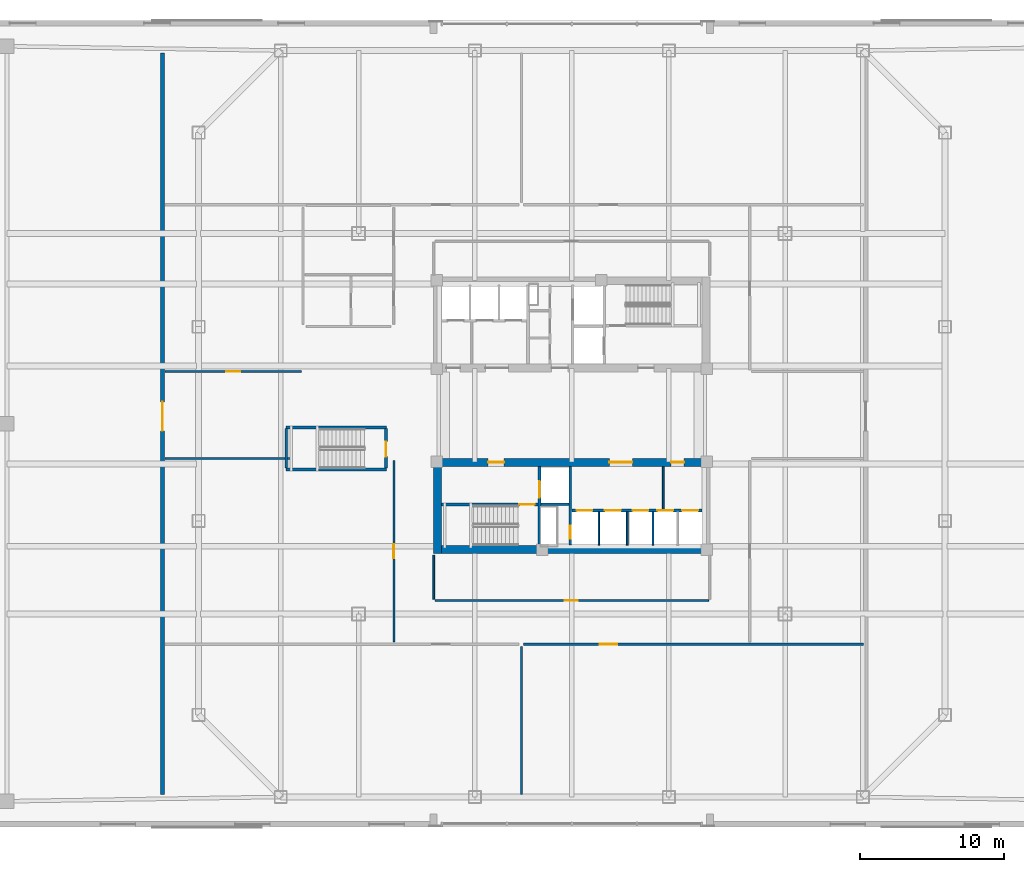
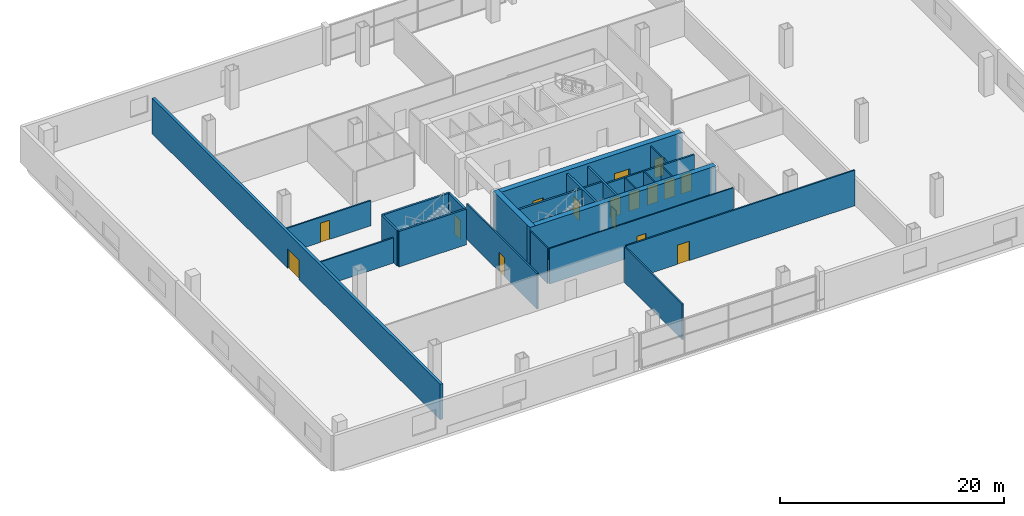
# One storey, part 12 of 21: 24 walls, 17 doors, 17 openings.
"""IFC4 building model written with IfcOpenShell, lengths in metres."""

from ifc_helpers import new_model, si_unit, direction, frame, frame_2d, origin, place, context, subcontext, project, spatial, rectangle, extrude, material, layer, layer_set, type_object, element, fill, save


model = new_model("IFC4")

# Units and contexts
model_context = context("Model", 3, precision=1e-05, world=origin(), true_north=direction((0.0, 1.0)))
body_context = subcontext(model_context, "Body", "Model", "MODEL_VIEW")
ifc_project = project(units=[si_unit("LENGTHUNIT", "METRE"), si_unit("AREAUNIT", "SQUARE_METRE"), si_unit("VOLUMEUNIT", "CUBIC_METRE"), si_unit("PLANEANGLEUNIT", "RADIAN"), si_unit("MASSUNIT", "GRAM", prefix="KILO")], contexts=[model_context])

# Site, building, storey
site_placement = place(None, origin())
site = spatial("IfcSite", under=ifc_project, at=site_placement, CompositionType="ELEMENT")
building_placement = place(site_placement, origin())
building = spatial("IfcBuilding", under=site, at=building_placement, Name="Qhalaya Broadcast Tower", CompositionType="ELEMENT")
storey_placement = place(building_placement, frame((0.0, 0.0, 5.10009765625)))
storey = spatial("IfcBuildingStorey", under=building, at=storey_placement, Name="L01", CompositionType="ELEMENT", Elevation=5.10009765625)

# Wall, opening, door
ifc_material_1 = material(Name="Gypsum Acoustic Partition")
ifc_layer_1 = layer(ifc_material_1, 0.14990234375, Name="Gypsum Acoustic Partition")
ifc_layer_set_1 = layer_set([ifc_layer_1], Name="Gypsum Acoustic Partition")
wall_type_1 = type_object("IfcWallType", Name="Corridor & Tenancy Acoustic Partition 150", PredefinedType="PARTITIONING", material=ifc_layer_set_1)
wall_1_placement = place(storey_placement, frame((-3.340087890625, -15.300048828125, 0.0), z_axis=(0.0, 0.0, 1.0), x_axis=(1.0, 0.0, 0.0)))
wall_1 = element("IfcWall", 1, at=wall_1_placement, inside=storey, type_object=wall_type_1, Name="L01 Partition Wall W-STS1R", PredefinedType="PARTITIONING", context=body_context, shape_type="SweptSolid", body=[
    extrude(rectangle(XDim=23.580078125, YDim=0.14990234375, at=frame_2d((11.7900390625, 0.0))), origin(), (0.0, 0.0, 1.0), 3.8798828125),
])
opening_1_placement = place(wall_1_placement, frame((5.294921875, 0.0, 0.0)))
opening_1 = element("IfcOpeningElement", 2, at=opening_1_placement, cuts=wall_1, Name="Opening D11", PredefinedType="OPENING", context=body_context, shape_type="SweptSolid", body=[
    extrude(rectangle(XDim=1.199951171875, YDim=2.10009765625, at=frame_2d((0.60009765625, 1.050048828125))), frame((0.0, 0.0869140625, 0.0), z_axis=(0.0, -1.0, 0.0), x_axis=(1.0, 0.0, 0.0)), (0.0, 0.0, 1.0), 0.173828125),
])
ifc_material_2 = material(Name="Anodised Aluminium Glazed Door", Category="aluminium")
door_type_1 = type_object("IfcDoorType", Name="Conference, Boardroom & Studio Control Door D11", OperationType="NOTDEFINED", PredefinedType="DOOR", material=ifc_material_2)
door_1_placement = place(opening_1_placement, origin())
door_1 = element("IfcDoor", 3, at=door_1_placement, inside=storey, type_object=door_type_1, Name="L01 Door D-STS2", OperationType="SINGLE_SWING_LEFT", OverallHeight=2.10009765625, OverallWidth=1.199951171875, PredefinedType="DOOR", context=body_context, shape_type="SweptSolid", body=[
    extrude(rectangle(XDim=1.199951171875, YDim=2.10009765625, at=frame_2d((0.60009765625, 1.050048828125))), frame((0.0, 0.02490234375, 0.0), z_axis=(0.0, -1.0, 0.0), x_axis=(1.0, 0.0, 0.0)), (0.0, 0.0, 1.0), 0.050048828125),
])
fill(opening_1, door_1)

# Wall
wall_2_placement = place(storey_placement, frame((-3.5, -25.739990234375, 0.0), z_axis=(0.0, 0.0, 1.0), x_axis=(0.0, 1.0, 0.0)))
element("IfcWall", 4, at=wall_2_placement, inside=storey, type_object=wall_type_1, Name="L01 Partition Wall W-STMS", PredefinedType="PARTITIONING", context=body_context, shape_type="SweptSolid", body=[
    extrude(rectangle(XDim=10.280029296875, YDim=0.14990234375, at=frame_2d((5.14013671875, 0.0))), origin(), (0.0, 0.0, 1.0), 3.8798828125),
])

# Wall, opening, door
wall_3_placement = place(storey_placement, frame((-12.35009765625, -15.139892578125, 0.0), z_axis=(0.0, 0.0, 1.0), x_axis=(0.0, 1.0, 0.0)))
wall_3 = element("IfcWall", 5, at=wall_3_placement, inside=storey, type_object=wall_type_1, Name="L01 Partition Wall W-STPW", PredefinedType="PARTITIONING", context=body_context, shape_type="SweptSolid", body=[
    extrude(rectangle(XDim=12.579833984375, YDim=0.14990234375, at=frame_2d((6.2900390625, 0.0))), origin(), (0.0, 0.0, 1.0), 3.8798828125),
])
opening_2_placement = place(wall_3_placement, frame((5.81494140625, 0.0, 0.0)))
opening_2 = element("IfcOpeningElement", 6, at=opening_2_placement, cuts=wall_3, Name="Opening D10", PredefinedType="OPENING", context=body_context, shape_type="SweptSolid", body=[
    extrude(rectangle(XDim=0.949951171875, YDim=2.10009765625, at=frame_2d((0.47509765625, 1.050048828125))), frame((0.0, 0.0869140625, 0.0), z_axis=(0.0, -1.0, 0.0), x_axis=(1.0, 0.0, 0.0)), (0.0, 0.0, 1.0), 0.173828125),
])
ifc_material_3 = material(Name="Timber Veneer Acoustic Door", Category="wood")
door_type_2 = type_object("IfcDoorType", Name="Cellular Office & Edit Booth Door D10", OperationType="NOTDEFINED", PredefinedType="DOOR", material=ifc_material_3)
door_2_placement = place(opening_2_placement, origin())
door_2 = element("IfcDoor", 7, at=door_2_placement, inside=storey, type_object=door_type_2, Name="L01 Door D-STPW", OperationType="SINGLE_SWING_LEFT", OverallHeight=2.10009765625, OverallWidth=0.949951171875, PredefinedType="DOOR", context=body_context, shape_type="SweptSolid", body=[
    extrude(rectangle(XDim=0.949951171875, YDim=2.10009765625, at=frame_2d((0.47509765625, 1.050048828125))), frame((0.0, 0.02490234375, 0.0), z_axis=(0.0, -1.0, 0.0), x_axis=(1.0, 0.0, 0.0)), (0.0, 0.0, 1.0), 0.050048828125),
])
fill(opening_2, door_2)

# Wall
wall_4_placement = place(storey_placement, frame((-28.239990234375, -2.419921875, 0.0), z_axis=(0.0, 0.0, 1.0), x_axis=(1.0, 0.0, 0.0)))
element("IfcWall", 8, at=wall_4_placement, inside=storey, type_object=wall_type_1, Name="L01 Partition Wall W-STPW2", PredefinedType="PARTITIONING", context=body_context, shape_type="SweptSolid", body=[
    extrude(rectangle(XDim=8.72998046875, YDim=0.14990234375, at=frame_2d((4.364990234375, 0.0))), origin(), (0.0, 0.0, 1.0), 2.741943359375),
])

# Wall, opening, door
wall_5_placement = place(storey_placement, frame((-28.239990234375, 3.6201171875, 0.0), z_axis=(0.0, 0.0, 1.0), x_axis=(1.0, 0.0, 0.0)))
wall_5 = element("IfcWall", 9, at=wall_5_placement, inside=storey, type_object=wall_type_1, Name="L01 Partition Wall W-STPW3", PredefinedType="PARTITIONING", context=body_context, shape_type="SweptSolid", body=[
    extrude(rectangle(XDim=9.47998046875, YDim=0.14990234375, at=frame_2d((4.739990234375, 0.0))), origin(), (0.0, 0.0, 1.0), 2.741943359375),
])
opening_3_placement = place(wall_5_placement, frame((4.264892578125, 0.0, 0.0)))
opening_3 = element("IfcOpeningElement", 10, at=opening_3_placement, cuts=wall_5, Name="Opening D10", PredefinedType="OPENING", context=body_context, shape_type="SweptSolid", body=[
    extrude(rectangle(XDim=0.949951171875, YDim=2.10009765625, at=frame_2d((0.47509765625, 1.050048828125))), frame((0.0, 0.0869140625, 0.0), z_axis=(0.0, -1.0, 0.0), x_axis=(1.0, 0.0, 0.0)), (0.0, 0.0, 1.0), 0.173828125),
])
door_3_placement = place(opening_3_placement, origin())
door_3 = element("IfcDoor", 11, at=door_3_placement, inside=storey, type_object=door_type_2, Name="L01 Door D-STPW3", OperationType="SINGLE_SWING_RIGHT", OverallHeight=2.10009765625, OverallWidth=0.949951171875, PredefinedType="DOOR", context=body_context, shape_type="SweptSolid", body=[
    extrude(rectangle(XDim=0.949951171875, YDim=2.10009765625, at=frame_2d((0.47509765625, 1.050048828125))), frame((0.0, 0.02490234375, 0.0), z_axis=(0.0, -1.0, 0.0), x_axis=(1.0, 0.0, 0.0)), (0.0, 0.0, 1.0), 0.050048828125),
])
fill(opening_3, door_3)

ifc_layer_2 = layer(ifc_material_1, 0.280029296875, Name="Gypsum Acoustic Partition")
ifc_layer_set_2 = layer_set([ifc_layer_2], Name="Gypsum Acoustic Partition")
wall_type_2 = type_object("IfcWallType", Name="Double-Leaf Soundstage Acoustic Wall 280", PredefinedType="MOVABLE", material=ifc_layer_set_2)
wall_6_placement = place(storey_placement, frame((-28.39990234375, -25.739990234375, 0.0), z_axis=(0.0, 0.0, 1.0), x_axis=(0.0, 1.0, 0.0)))
wall_6 = element("IfcWall", 12, at=wall_6_placement, inside=storey, type_object=wall_type_2, Name="L01 Partition Wall W-STAW", PredefinedType="MOVABLE", context=body_context, shape_type="SweptSolid", body=[
    extrude(rectangle(XDim=51.47998046875, YDim=0.280029296875, at=frame_2d((25.739990234375, 0.0))), origin(), (0.0, 0.0, 1.0), 3.8798828125),
])
opening_4_placement = place(wall_6_placement, frame((25.2548828125, 0.0, 0.0)))
opening_4 = element("IfcOpeningElement", 13, at=opening_4_placement, cuts=wall_6, Name="Opening D08", PredefinedType="OPENING", context=body_context, shape_type="SweptSolid", body=[
    extrude(rectangle(XDim=2.0, YDim=2.139892578125, at=frame_2d((1.0, 1.06982421875))), frame((0.0, 0.152099609375, 0.0), z_axis=(0.0, -1.0, 0.0), x_axis=(1.0, 0.0, 0.0)), (0.0, 0.0, 1.0), 0.303955078125),
])
ifc_material_4 = material(Name="Acoustic Studio Isolation Steel Door", Category="steel")
door_type_3 = type_object("IfcDoorType", Name="Soundstage Acoustic Isolation Double Door D08", OperationType="DOUBLE_DOOR_SINGLE_SWING", PredefinedType="DOOR", material=ifc_material_4)
door_4_placement = place(opening_4_placement, origin())
door_4 = element("IfcDoor", 14, at=door_4_placement, inside=storey, type_object=door_type_3, Name="L01 Door D-STA1", OperationType="DOUBLE_DOOR_SINGLE_SWING", OverallHeight=2.139892578125, OverallWidth=2.0, PredefinedType="DOOR", context=body_context, shape_type="SweptSolid", body=[
    extrude(rectangle(XDim=2.0, YDim=2.139892578125, at=frame_2d((1.0, 1.06982421875))), frame((0.0, 0.02490234375, 0.0), z_axis=(0.0, -1.0, 0.0), x_axis=(1.0, 0.0, 0.0)), (0.0, 0.0, 1.0), 0.050048828125),
])
fill(opening_4, door_4)

ifc_material_5 = material(Name="Concrete C50/60", Category="concrete")
ifc_layer_3 = layer(ifc_material_5, 0.199951171875, Name="Concrete C50/60")
ifc_layer_set_3 = layer_set([ifc_layer_3], Name="Concrete C50/60")
wall_type_3 = type_object("IfcWallType", Name="Load-Bearing Stair Shaft Wall 200", PredefinedType="SHEAR", material=ifc_layer_set_3)
wall_7_placement = place(storey_placement, frame((-9.030029296875, -5.60498046875, 0.0), z_axis=(0.0, 0.0, 1.0), x_axis=(1.0, 0.0, 0.0)))
wall_7 = element("IfcWall", 15, at=wall_7_placement, inside=storey, type_object=wall_type_3, Name="L01 Stair Core Shear Wall SCW-ST2", PredefinedType="SHEAR", context=body_context, shape_type="SweptSolid", body=[
    extrude(rectangle(XDim=6.669921875, YDim=0.199951171875, at=frame_2d((3.3349609375, 0.0))), origin(), (0.0, 0.0, 1.0), 3.8798828125),
])
opening_5_placement = place(wall_7_placement, frame((5.39990234375, 0.0, 0.0)))
opening_5 = element("IfcOpeningElement", 16, at=opening_5_placement, cuts=wall_7, Name="Opening D03", PredefinedType="OPENING", context=body_context, shape_type="SweptSolid", body=[
    extrude(rectangle(XDim=1.050048828125, YDim=2.080078125, at=frame_2d((0.52490234375, 1.0400390625))), frame((0.0, 0.112060546875, 0.0), z_axis=(0.0, -1.0, 0.0), x_axis=(1.0, 0.0, 0.0)), (0.0, 0.0, 1.0), 0.223876953125),
])
ifc_material_6 = material(Name="Fire-Rated Steel Door", Category="steel")
door_type_4 = type_object("IfcDoorType", Name="Core Stair Protected Fire Door D03", OperationType="NOTDEFINED", PredefinedType="DOOR", material=ifc_material_6)
door_5_placement = place(opening_5_placement, origin())
door_5 = element("IfcDoor", 17, at=door_5_placement, inside=storey, type_object=door_type_4, Name="L01 Door D-SST2", OperationType="SINGLE_SWING_RIGHT", OverallHeight=2.080078125, OverallWidth=1.050048828125, PredefinedType="DOOR", context=body_context, shape_type="SweptSolid", body=[
    extrude(rectangle(XDim=1.050048828125, YDim=2.080078125, at=frame_2d((0.52490234375, 1.0400390625))), frame((0.0, 0.02490234375, 0.0), z_axis=(0.0, -1.0, 0.0), x_axis=(1.0, 0.0, 0.0)), (0.0, 0.0, 1.0), 0.050048828125),
])
fill(opening_5, door_5)

wall_8_placement = place(storey_placement, frame((-2.25, -8.429931640625, 0.0), z_axis=(0.0, 0.0, 1.0), x_axis=(0.0, 1.0, 0.0)))
wall_8 = element("IfcWall", 18, at=wall_8_placement, inside=storey, type_object=wall_type_3, Name="L01 Stair Core Shear Wall SCW-FF", PredefinedType="SHEAR", context=body_context, shape_type="SweptSolid", body=[
    extrude(rectangle(XDim=5.4599609375, YDim=0.199951171875, at=frame_2d((2.72998046875, 0.0))), origin(), (0.0, 0.0, 1.0), 3.8798828125),
])
opening_6_placement = place(wall_8_placement, frame((3.300048828125, 0.0, 0.0)))
opening_6 = element("IfcOpeningElement", 19, at=opening_6_placement, cuts=wall_8, Name="Opening LD2", PredefinedType="OPENING", context=body_context, shape_type="SweptSolid", body=[
    extrude(rectangle(XDim=1.14990234375, YDim=2.080078125, at=frame_2d((0.574951171875, 1.0400390625))), frame((0.0, 0.112060546875, 0.0), z_axis=(0.0, -1.0, 0.0), x_axis=(1.0, 0.0, 0.0)), (0.0, 0.0, 1.0), 0.223876953125),
])
ifc_material_7 = material(Name="Brushed Stainless Steel Lift Door", Category="steel")
door_type_5 = type_object("IfcDoorType", Name="Firefighting Lift Sliding Landing Door LD2", OperationType="DOUBLE_DOOR_SLIDING", PredefinedType="DOOR", material=ifc_material_7)
door_6_placement = place(opening_6_placement, origin())
door_6 = element("IfcDoor", 20, at=door_6_placement, inside=storey, type_object=door_type_5, Name="L01 Door LD-FF2", OperationType="DOUBLE_DOOR_SLIDING", OverallHeight=2.080078125, OverallWidth=1.14990234375, PredefinedType="DOOR", context=body_context, shape_type="SweptSolid", body=[
    extrude(rectangle(XDim=1.14990234375, YDim=2.080078125, at=frame_2d((0.574951171875, 1.0400390625))), frame((0.0, 0.02490234375, 0.0), z_axis=(0.0, -1.0, 0.0), x_axis=(1.0, 0.0, 0.0)), (0.0, 0.0, 1.0), 0.050048828125),
])
fill(opening_6, door_6)

# Walls
for number, where, z_axis, x_axis, name in (
    (21, (-19.830078125, -0.25, 0.0), (0.0, 0.0, 1.0), (1.0, 0.0, 0.0), "L01 Stair Core Shear Wall W-STP1N"),
    (22, (-19.830078125, -3.179931640625, 0.0), (0.0, 0.0, 1.0), (1.0, 0.0, 0.0), "L01 Stair Core Shear Wall W-STP1S"),
):
    element("IfcWall", number, at=place(storey_placement, frame(where, z_axis=z_axis, x_axis=x_axis)), inside=storey, type_object=wall_type_3, Name=name, PredefinedType="SHEAR", context=body_context, shape_type="SweptSolid", body=[
        extrude(rectangle(XDim=6.9599609375, YDim=0.199951171875, at=frame_2d((3.47998046875, 0.0))), origin(), (0.0, 0.0, 1.0), 3.8798828125),
    ])

# Wall, opening, door
wall_9_placement = place(storey_placement, frame((-12.89990234375, -0.340087890625, 0.0), z_axis=(0.0, 0.0, 1.0), x_axis=(0.0, -1.0, 0.0)))
wall_9 = element("IfcWall", 23, at=wall_9_placement, inside=storey, type_object=wall_type_3, Name="L01 Stair Core Shear Wall W-STP1E", PredefinedType="SHEAR", context=body_context, shape_type="SweptSolid", body=[
    extrude(rectangle(XDim=2.739990234375, YDim=0.199951171875, at=frame_2d((1.3701171875, 0.0))), origin(), (0.0, 0.0, 1.0), 3.8798828125),
])
opening_7_placement = place(wall_9_placement, frame((0.89501953125, 0.0, 0.0)))
opening_7 = element("IfcOpeningElement", 24, at=opening_7_placement, cuts=wall_9, Name="Opening D03", PredefinedType="OPENING", context=body_context, shape_type="SweptSolid", body=[
    extrude(rectangle(XDim=1.050048828125, YDim=2.080078125, at=frame_2d((0.52490234375, 1.0400390625))), frame((0.0, 0.112060546875, 0.0), z_axis=(0.0, -1.0, 0.0), x_axis=(1.0, 0.0, 0.0)), (0.0, 0.0, 1.0), 0.223876953125),
])
door_7_placement = place(opening_7_placement, origin())
door_7 = element("IfcDoor", 25, at=door_7_placement, inside=storey, type_object=door_type_4, Name="L01 Door D-STP1", OperationType="SINGLE_SWING_LEFT", OverallHeight=2.080078125, OverallWidth=1.050048828125, PredefinedType="DOOR", context=body_context, shape_type="SweptSolid", body=[
    extrude(rectangle(XDim=1.050048828125, YDim=2.080078125, at=frame_2d((0.52490234375, 1.0400390625))), frame((0.0, 0.02490234375, 0.0), z_axis=(0.0, -1.0, 0.0), x_axis=(1.0, 0.0, 0.0)), (0.0, 0.0, 1.0), 0.050048828125),
])
fill(opening_7, door_7)

# Walls
wall_10_placement = place(storey_placement, frame((-19.820068359375, -3.080078125, 0.0), z_axis=(0.0, 0.0, 1.0), x_axis=(0.0, 1.0, 0.0)))
element("IfcWall", 26, at=wall_10_placement, inside=storey, type_object=wall_type_3, Name="L01 Stair Core Shear Wall W-STP1W", PredefinedType="SHEAR", context=body_context, shape_type="SweptSolid", body=[
    extrude(rectangle(XDim=2.739990234375, YDim=0.199951171875, at=frame_2d((1.3701171875, 0.0))), origin(), (0.0, 0.0, 1.0), 3.8798828125),
])
ifc_material_8 = material(Name="Concrete C60/75", Category="concrete")
ifc_layer_4 = layer(ifc_material_8, 0.550048828125, Name="Concrete C60/75")
ifc_layer_set_4 = layer_set([ifc_layer_4], Name="Concrete C60/75")
wall_type_4 = type_object("IfcWallType", Name="Lower Split-Core Shear Wall 550", PredefinedType="SHEAR", material=ifc_layer_set_4)
wall_11_placement = place(storey_placement, frame((-9.60009765625, -8.72509765625, 0.0), z_axis=(0.0, 0.0, 1.0), x_axis=(1.0, 0.0, 0.0)))
element("IfcWall", 27, at=wall_11_placement, inside=storey, type_object=wall_type_4, Name="L01 Split-Core Shear Wall CW-SS", PredefinedType="SHEAR", context=body_context, shape_type="SweptSolid", body=[
    extrude(rectangle(XDim=19.2001953125, YDim=0.550048828125, at=frame_2d((9.60009765625, 0.0))), origin(), (0.0, 0.0, 1.0), 4.199951171875),
])

# Wall, openings, doors
wall_12_placement = place(storey_placement, frame((-9.60009765625, -2.675048828125, 0.0), z_axis=(0.0, 0.0, 1.0), x_axis=(1.0, 0.0, 0.0)))
wall_12 = element("IfcWall", 28, at=wall_12_placement, inside=storey, type_object=wall_type_4, Name="L01 Split-Core Shear Wall CW-SN", PredefinedType="SHEAR", context=body_context, shape_type="SweptSolid", body=[
    extrude(rectangle(XDim=19.2001953125, YDim=0.550048828125, at=frame_2d((9.60009765625, 0.0))), origin(), (0.0, 0.0, 1.0), 4.199951171875),
])
opening_8_placement = place(wall_12_placement, frame((3.800048828125, 0.0, 0.0)))
opening_8 = element("IfcOpeningElement", 29, at=opening_8_placement, cuts=wall_12, Name="Opening D04", PredefinedType="OPENING", context=body_context, shape_type="SweptSolid", body=[
    extrude(rectangle(XDim=1.10009765625, YDim=2.080078125, at=frame_2d((0.550048828125, 1.0400390625))), frame((0.0, 0.287109375, 0.0), z_axis=(0.0, -1.0, 0.0), x_axis=(1.0, 0.0, 0.0)), (0.0, 0.0, 1.0), 0.573974609375),
])
opening_9_placement = place(wall_12_placement, frame((12.199951171875, 0.0, 0.0)))
opening_9 = element("IfcOpeningElement", 30, at=opening_9_placement, cuts=wall_12, Name="Opening D07", PredefinedType="OPENING", context=body_context, shape_type="SweptSolid", body=[
    extrude(rectangle(XDim=1.60009765625, YDim=2.1201171875, at=frame_2d((0.800048828125, 1.06005859375))), frame((0.0, 0.287109375, 0.0), z_axis=(0.0, -1.0, 0.0), x_axis=(1.0, 0.0, 0.0)), (0.0, 0.0, 1.0), 0.573974609375),
])
opening_10_placement = place(wall_12_placement, frame((16.5, 0.0, 0.0)))
opening_10 = element("IfcOpeningElement", 31, at=opening_10_placement, cuts=wall_12, Name="Opening D06", PredefinedType="OPENING", context=body_context, shape_type="SweptSolid", body=[
    extrude(rectangle(XDim=0.89990234375, YDim=2.050048828125, at=frame_2d((0.449951171875, 1.02490234375))), frame((0.0, 0.287109375, 0.0), z_axis=(0.0, -1.0, 0.0), x_axis=(1.0, 0.0, 0.0)), (0.0, 0.0, 1.0), 0.573974609375),
])
door_type_6 = type_object("IfcDoorType", Name="Firefighting Lobby Rated Door D04", OperationType="NOTDEFINED", PredefinedType="DOOR", material=ifc_material_6)
door_8_placement = place(opening_8_placement, origin())
door_8 = element("IfcDoor", 32, at=door_8_placement, inside=storey, type_object=door_type_6, Name="L01 Door D-SFF", OperationType="SINGLE_SWING_LEFT", OverallHeight=2.080078125, OverallWidth=1.10009765625, PredefinedType="DOOR", context=body_context, shape_type="SweptSolid", body=[
    extrude(rectangle(XDim=1.10009765625, YDim=2.080078125, at=frame_2d((0.550048828125, 1.0400390625))), frame((0.0, 0.02490234375, 0.0), z_axis=(0.0, -1.0, 0.0), x_axis=(1.0, 0.0, 0.0)), (0.0, 0.0, 1.0), 0.050048828125),
])
fill(opening_8, door_8)
door_type_7 = type_object("IfcDoorType", Name="Passenger Lift Lobby Double Glazed Door D07", OperationType="DOUBLE_DOOR_SINGLE_SWING", PredefinedType="DOOR", material=ifc_material_2)
door_9_placement = place(opening_9_placement, origin())
door_9 = element("IfcDoor", 33, at=door_9_placement, inside=storey, type_object=door_type_7, Name="L01 Door D-SPLL", OperationType="DOUBLE_DOOR_SINGLE_SWING", OverallHeight=2.1201171875, OverallWidth=1.60009765625, PredefinedType="DOOR", context=body_context, shape_type="SweptSolid", body=[
    extrude(rectangle(XDim=1.60009765625, YDim=2.1201171875, at=frame_2d((0.800048828125, 1.06005859375))), frame((0.0, 0.02490234375, 0.0), z_axis=(0.0, -1.0, 0.0), x_axis=(1.0, 0.0, 0.0)), (0.0, 0.0, 1.0), 0.050048828125),
])
fill(opening_9, door_9)
door_type_8 = type_object("IfcDoorType", Name="Riser & Electrical Shaft Access Door D06", OperationType="NOTDEFINED", PredefinedType="DOOR", material=ifc_material_6)
door_10_placement = place(opening_10_placement, origin())
door_10 = element("IfcDoor", 34, at=door_10_placement, inside=storey, type_object=door_type_8, Name="L01 Door D-SSCST", OperationType="SINGLE_SWING_LEFT", OverallHeight=2.050048828125, OverallWidth=0.89990234375, PredefinedType="DOOR", context=body_context, shape_type="SweptSolid", body=[
    extrude(rectangle(XDim=0.89990234375, YDim=2.050048828125, at=frame_2d((0.449951171875, 1.02490234375))), frame((0.0, 0.02490234375, 0.0), z_axis=(0.0, -1.0, 0.0), x_axis=(1.0, 0.0, 0.0)), (0.0, 0.0, 1.0), 0.050048828125),
])
fill(opening_10, door_10)

# Walls
wall_13_placement = place(storey_placement, frame((-9.324951171875, -9.0, 0.0), z_axis=(0.0, 0.0, 1.0), x_axis=(0.0, 1.0, 0.0)))
element("IfcWall", 35, at=wall_13_placement, inside=storey, type_object=wall_type_4, Name="L01 Split-Core Shear Wall CW-SW", PredefinedType="SHEAR", context=body_context, shape_type="SweptSolid", body=[
    extrude(rectangle(XDim=6.60009765625, YDim=0.550048828125, at=frame_2d((3.300048828125, 0.0))), origin(), (0.0, 0.0, 1.0), 4.199951171875),
])
ifc_layer_5 = layer(ifc_material_1, 0.1201171875, Name="Gypsum Acoustic Partition")
ifc_layer_set_5 = layer_set([ifc_layer_5], Name="Gypsum Acoustic Partition")
wall_type_5 = type_object("IfcWallType", Name="Office, Booth & Sanitary Partition 120", PredefinedType="PARTITIONING", material=ifc_layer_set_5)
for number, where, z_axis, x_axis, name in (
    (36, (1.8798828125, -8.429931640625, 0.0), (0.0, 0.0, 1.0), (0.0, 1.0, 0.0), "L01 Partition Wall SCW-MD4"),
    (37, (3.85009765625, -8.429931640625, 0.0), (0.0, 0.0, 1.0), (0.0, 1.0, 0.0), "L01 Partition Wall SCW-MD5"),
    (38, (5.639892578125, -8.429931640625, 0.0), (0.0, 0.0, 1.0), (0.0, 1.0, 0.0), "L01 Partition Wall SCW-HD6"),
):
    element("IfcWall", number, at=place(storey_placement, frame(where, z_axis=z_axis, x_axis=x_axis)), inside=storey, type_object=wall_type_5, Name=name, PredefinedType="PARTITIONING", context=body_context, shape_type="SweptSolid", body=[
        extrude(rectangle(XDim=2.329833984375, YDim=0.1201171875, at=frame_2d((1.1650390625, 0.0))), origin(), (0.0, 0.0, 1.0), 3.8798828125),
    ])
wall_14_placement = place(storey_placement, frame((6.35009765625, -5.93994140625, 0.0), z_axis=(0.0, 0.0, 1.0), x_axis=(0.0, 1.0, 0.0)))
element("IfcWall", 39, at=wall_14_placement, inside=storey, type_object=wall_type_5, Name="L01 Partition Wall SCW-LKB", PredefinedType="PARTITIONING", context=body_context, shape_type="SweptSolid", body=[
    extrude(rectangle(XDim=2.969970703125, YDim=0.1201171875, at=frame_2d((1.48486328125, 0.0))), origin(), (0.0, 0.0, 1.0), 3.8798828125),
])

# Wall, opening, door
wall_15_placement = place(storey_placement, frame((-9.489990234375, -12.260009765625, 0.0), z_axis=(0.0, 0.0, 1.0), x_axis=(1.0, 0.0, 0.0)))
wall_15 = element("IfcWall", 40, at=wall_15_placement, inside=storey, type_object=wall_type_5, Name="L01 Partition Wall W-PCSHS", PredefinedType="PARTITIONING", context=body_context, shape_type="SweptSolid", body=[
    extrude(rectangle(XDim=18.97998046875, YDim=0.1201171875, at=frame_2d((9.489990234375, 0.0))), origin(), (0.0, 0.0, 1.0), 3.8798828125),
])
opening_11_placement = place(wall_15_placement, frame((9.014892578125, 0.0, 0.0)))
opening_11 = element("IfcOpeningElement", 41, at=opening_11_placement, cuts=wall_15, Name="Opening D06", PredefinedType="OPENING", context=body_context, shape_type="SweptSolid", body=[
    extrude(rectangle(XDim=0.89990234375, YDim=2.050048828125, at=frame_2d((0.449951171875, 1.02490234375))), frame((0.0, 0.072021484375, 0.0), z_axis=(0.0, -1.0, 0.0), x_axis=(1.0, 0.0, 0.0)), (0.0, 0.0, 1.0), 0.14404296875),
])
door_11_placement = place(opening_11_placement, origin())
door_11 = element("IfcDoor", 42, at=door_11_placement, inside=storey, type_object=door_type_8, Name="L01 Door D-PCSHS", OperationType="SINGLE_SWING_RIGHT", OverallHeight=2.050048828125, OverallWidth=0.89990234375, PredefinedType="DOOR", context=body_context, shape_type="SweptSolid", body=[
    extrude(rectangle(XDim=0.89990234375, YDim=2.050048828125, at=frame_2d((0.449951171875, 1.02490234375))), frame((0.0, 0.02490234375, 0.0), z_axis=(0.0, -1.0, 0.0), x_axis=(1.0, 0.0, 0.0)), (0.0, 0.0, 1.0), 0.050048828125),
])
fill(opening_11, door_11)

# Wall
wall_16_placement = place(storey_placement, frame((-9.580078125, -12.18994140625, 0.0), z_axis=(0.0, 0.0, 1.0), x_axis=(0.0, 1.0, 0.0)))
element("IfcWall", 43, at=wall_16_placement, inside=storey, type_object=wall_type_5, Name="L01 Partition Wall W-PCSHSW", PredefinedType="PARTITIONING", context=body_context, shape_type="SweptSolid", body=[
    extrude(rectangle(XDim=3.079833984375, YDim=0.1201171875, at=frame_2d((1.5400390625, 0.0))), origin(), (0.0, 0.0, 1.0), 3.8798828125),
])

# Wall, opening, door
ifc_layer_6 = layer(ifc_material_1, 0.175048828125, Name="Gypsum Acoustic Partition")
ifc_layer_set_6 = layer_set([ifc_layer_6], Name="Gypsum Acoustic Partition")
wall_type_6 = type_object("IfcWallType", Name="Shaft & Riser Fire Partition 175", PredefinedType="PARTITIONING", material=ifc_layer_set_6)
wall_17_placement = place(storey_placement, frame((-0.10009765625, -8.429931640625, 0.0), z_axis=(0.0, 0.0, 1.0), x_axis=(0.0, 1.0, 0.0)))
wall_17 = element("IfcWall", 44, at=wall_17_placement, inside=storey, type_object=wall_type_6, Name="L01 Partition Wall SCW-FFE", PredefinedType="PARTITIONING", context=body_context, shape_type="SweptSolid", body=[
    extrude(rectangle(XDim=5.4599609375, YDim=0.175048828125, at=frame_2d((2.72998046875, 0.0))), origin(), (0.0, 0.0, 1.0), 3.8798828125),
])
opening_12_placement = place(wall_17_placement, frame((0.449951171875, 0.0, 0.0)))
opening_12 = element("IfcOpeningElement", 45, at=opening_12_placement, cuts=wall_17, Name="Opening D06", PredefinedType="OPENING", context=body_context, shape_type="SweptSolid", body=[
    extrude(rectangle(XDim=0.89990234375, YDim=2.050048828125, at=frame_2d((0.449951171875, 1.02490234375))), frame((0.0, 0.099609375, 0.0), z_axis=(0.0, -1.0, 0.0), x_axis=(1.0, 0.0, 0.0)), (0.0, 0.0, 1.0), 0.198974609375),
])
door_12_placement = place(opening_12_placement, origin())
door_12 = element("IfcDoor", 46, at=door_12_placement, inside=storey, type_object=door_type_8, Name="L01 Riser Shaft Access Door D-SRSR", OperationType="SINGLE_SWING_LEFT", OverallHeight=2.050048828125, OverallWidth=0.89990234375, PredefinedType="DOOR", context=body_context, shape_type="SweptSolid", body=[
    extrude(rectangle(XDim=0.89990234375, YDim=2.050048828125, at=frame_2d((0.449951171875, 1.02490234375))), frame((0.0, 0.02490234375, 0.0), z_axis=(0.0, -1.0, 0.0), x_axis=(1.0, 0.0, 0.0)), (0.0, 0.0, 1.0), 0.050048828125),
])
fill(opening_12, door_12)

# Wall
wall_18_placement = place(storey_placement, frame((-2.14990234375, -5.60009765625, 0.0), z_axis=(0.0, 0.0, 1.0), x_axis=(1.0, 0.0, 0.0)))
element("IfcWall", 47, at=wall_18_placement, inside=storey, type_object=wall_type_6, Name="L01 Partition Wall SCW-FFM", PredefinedType="PARTITIONING", context=body_context, shape_type="SweptSolid", body=[
    extrude(rectangle(XDim=1.969970703125, YDim=0.175048828125, at=frame_2d((0.98486328125, 0.0))), origin(), (0.0, 0.0, 1.0), 3.8798828125),
])

# Wall, openings, doors
wall_19_placement = place(storey_placement, frame((0.0, -6.02001953125, 0.0), z_axis=(0.0, 0.0, 1.0), x_axis=(1.0, 0.0, 0.0)))
wall_19 = element("IfcWall", 48, at=wall_19_placement, inside=storey, type_object=wall_type_6, Name="L01 Partition Wall SCW-SLB", PredefinedType="PARTITIONING", context=body_context, shape_type="SweptSolid", body=[
    extrude(rectangle(XDim=9.030029296875, YDim=0.175048828125, at=frame_2d((4.51513671875, 0.0))), origin(), (0.0, 0.0, 1.0), 3.8798828125),
])
opening_13_placement = place(wall_19_placement, frame((0.330078125, 0.0, 0.0)))
opening_13 = element("IfcOpeningElement", 49, at=opening_13_placement, cuts=wall_19, Name="Opening LD1", PredefinedType="OPENING", context=body_context, shape_type="SweptSolid", body=[
    extrude(rectangle(XDim=1.10009765625, YDim=2.06005859375, at=frame_2d((0.550048828125, 1.030029296875))), frame((0.0, 0.099609375, 0.0), z_axis=(0.0, -1.0, 0.0), x_axis=(1.0, 0.0, 0.0)), (0.0, 0.0, 1.0), 0.198974609375),
])
opening_14_placement = place(wall_19_placement, frame((2.300048828125, 0.0, 0.0)))
opening_14 = element("IfcOpeningElement", 50, at=opening_14_placement, cuts=wall_19, Name="Opening LD1", PredefinedType="OPENING", context=body_context, shape_type="SweptSolid", body=[
    extrude(rectangle(XDim=1.10009765625, YDim=2.06005859375, at=frame_2d((0.550048828125, 1.030029296875))), frame((0.0, 0.099609375, 0.0), z_axis=(0.0, -1.0, 0.0), x_axis=(1.0, 0.0, 0.0)), (0.0, 0.0, 1.0), 0.198974609375),
])
opening_15_placement = place(wall_19_placement, frame((4.219970703125, 0.0, 0.0)))
opening_15 = element("IfcOpeningElement", 51, at=opening_15_placement, cuts=wall_19, Name="Opening LD1", PredefinedType="OPENING", context=body_context, shape_type="SweptSolid", body=[
    extrude(rectangle(XDim=1.10009765625, YDim=2.06005859375, at=frame_2d((0.550048828125, 1.030029296875))), frame((0.0, 0.099609375, 0.0), z_axis=(0.0, -1.0, 0.0), x_axis=(1.0, 0.0, 0.0)), (0.0, 0.0, 1.0), 0.198974609375),
])
opening_16_placement = place(wall_19_placement, frame((5.93994140625, 0.0, 0.0)))
opening_16 = element("IfcOpeningElement", 52, at=opening_16_placement, cuts=wall_19, Name="Opening LD1", PredefinedType="OPENING", context=body_context, shape_type="SweptSolid", body=[
    extrude(rectangle(XDim=1.10009765625, YDim=2.06005859375, at=frame_2d((0.550048828125, 1.030029296875))), frame((0.0, 0.099609375, 0.0), z_axis=(0.0, -1.0, 0.0), x_axis=(1.0, 0.0, 0.0)), (0.0, 0.0, 1.0), 0.198974609375),
])
opening_17_placement = place(wall_19_placement, frame((7.659912109375, 0.0, 0.0)))
opening_17 = element("IfcOpeningElement", 53, at=opening_17_placement, cuts=wall_19, Name="Opening LD1", PredefinedType="OPENING", context=body_context, shape_type="SweptSolid", body=[
    extrude(rectangle(XDim=1.10009765625, YDim=2.06005859375, at=frame_2d((0.550048828125, 1.030029296875))), frame((0.0, 0.099609375, 0.0), z_axis=(0.0, -1.0, 0.0), x_axis=(1.0, 0.0, 0.0)), (0.0, 0.0, 1.0), 0.198974609375),
])
door_type_9 = type_object("IfcDoorType", Name="Passenger Lift Sliding Landing Door LD1", OperationType="DOUBLE_DOOR_SLIDING", PredefinedType="DOOR", material=ifc_material_7)
door_13_placement = place(opening_13_placement, origin())
door_13 = element("IfcDoor", 54, at=door_13_placement, inside=storey, type_object=door_type_9, Name="L01 Door LD-P4", OperationType="DOUBLE_DOOR_SLIDING", OverallHeight=2.06005859375, OverallWidth=1.10009765625, PredefinedType="DOOR", context=body_context, shape_type="SweptSolid", body=[
    extrude(rectangle(XDim=1.10009765625, YDim=2.06005859375, at=frame_2d((0.550048828125, 1.030029296875))), frame((0.0, 0.02490234375, 0.0), z_axis=(0.0, -1.0, 0.0), x_axis=(1.0, 0.0, 0.0)), (0.0, 0.0, 1.0), 0.050048828125),
])
fill(opening_13, door_13)
door_14_placement = place(opening_14_placement, origin())
door_14 = element("IfcDoor", 55, at=door_14_placement, inside=storey, type_object=door_type_9, Name="L01 Door LD-P5", OperationType="DOUBLE_DOOR_SLIDING", OverallHeight=2.06005859375, OverallWidth=1.10009765625, PredefinedType="DOOR", context=body_context, shape_type="SweptSolid", body=[
    extrude(rectangle(XDim=1.10009765625, YDim=2.06005859375, at=frame_2d((0.550048828125, 1.030029296875))), frame((0.0, 0.02490234375, 0.0), z_axis=(0.0, -1.0, 0.0), x_axis=(1.0, 0.0, 0.0)), (0.0, 0.0, 1.0), 0.050048828125),
])
fill(opening_14, door_14)
door_15_placement = place(opening_15_placement, origin())
door_15 = element("IfcDoor", 56, at=door_15_placement, inside=storey, type_object=door_type_9, Name="L01 Door LD-P6", OperationType="DOUBLE_DOOR_SLIDING", OverallHeight=2.06005859375, OverallWidth=1.10009765625, PredefinedType="DOOR", context=body_context, shape_type="SweptSolid", body=[
    extrude(rectangle(XDim=1.10009765625, YDim=2.06005859375, at=frame_2d((0.550048828125, 1.030029296875))), frame((0.0, 0.02490234375, 0.0), z_axis=(0.0, -1.0, 0.0), x_axis=(1.0, 0.0, 0.0)), (0.0, 0.0, 1.0), 0.050048828125),
])
fill(opening_15, door_15)
door_16_placement = place(opening_16_placement, origin())
door_16 = element("IfcDoor", 57, at=door_16_placement, inside=storey, type_object=door_type_9, Name="L01 Door LD-P7", OperationType="DOUBLE_DOOR_SLIDING", OverallHeight=2.06005859375, OverallWidth=1.10009765625, PredefinedType="DOOR", context=body_context, shape_type="SweptSolid", body=[
    extrude(rectangle(XDim=1.10009765625, YDim=2.06005859375, at=frame_2d((0.550048828125, 1.030029296875))), frame((0.0, 0.02490234375, 0.0), z_axis=(0.0, -1.0, 0.0), x_axis=(1.0, 0.0, 0.0)), (0.0, 0.0, 1.0), 0.050048828125),
])
fill(opening_16, door_16)
door_17_placement = place(opening_17_placement, origin())
door_17 = element("IfcDoor", 58, at=door_17_placement, inside=storey, type_object=door_type_9, Name="L01 Door LD-P8", OperationType="DOUBLE_DOOR_SLIDING", OverallHeight=2.06005859375, OverallWidth=1.10009765625, PredefinedType="DOOR", context=body_context, shape_type="SweptSolid", body=[
    extrude(rectangle(XDim=1.10009765625, YDim=2.06005859375, at=frame_2d((0.550048828125, 1.030029296875))), frame((0.0, 0.02490234375, 0.0), z_axis=(0.0, -1.0, 0.0), x_axis=(1.0, 0.0, 0.0)), (0.0, 0.0, 1.0), 0.050048828125),
])
fill(opening_17, door_17)

save(model, "model.ifc")
